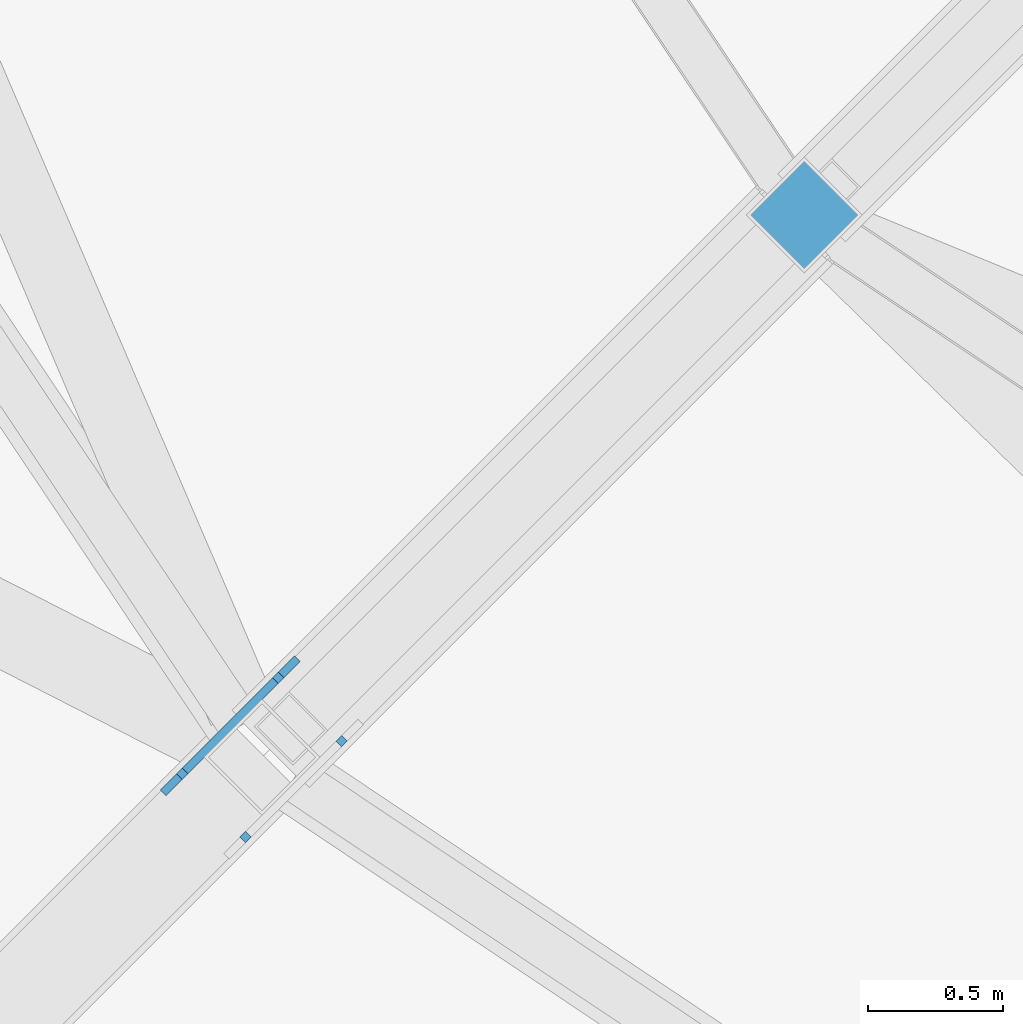
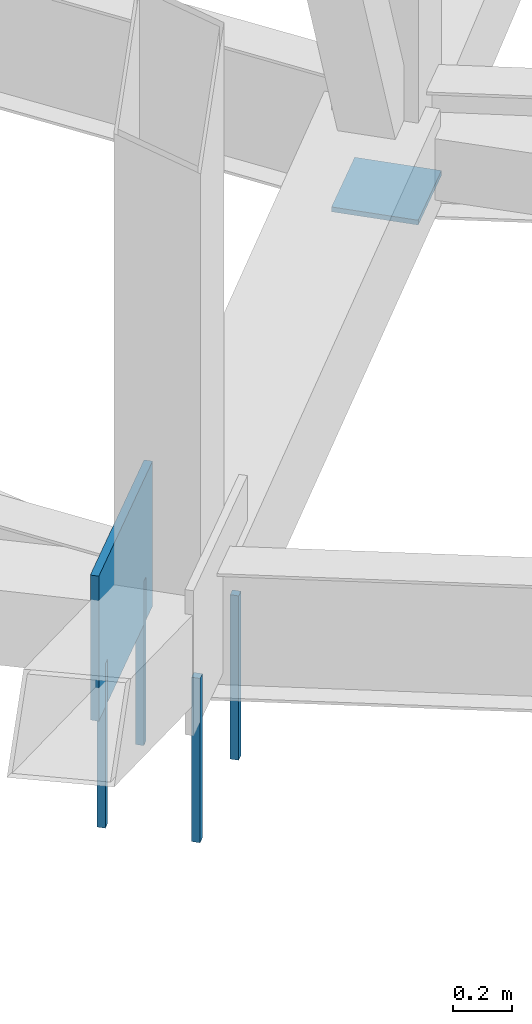
# One storey, part 115 of 278: 4 mechanical fasteners, 2 discrete accessories.
"""IFC4 building model written with IfcOpenShell, lengths in metres."""

from ifc_helpers import new_model, si_unit, direction, frame, origin, origin_2d, place, context, subcontext, project, spatial, rectangle, extrude, material, layer, layer_set, type_object, element, save


model = new_model("IFC4")

# Units and contexts
model_context = context("Model", 3, precision=1e-05, world=origin(), true_north=direction((0.0, 1.0)))
body_context = subcontext(model_context, "Body", "Model", "MODEL_VIEW")
ifc_project = project(units=[si_unit("LENGTHUNIT", "METRE"), si_unit("AREAUNIT", "SQUARE_METRE"), si_unit("VOLUMEUNIT", "CUBIC_METRE"), si_unit("PLANEANGLEUNIT", "RADIAN"), si_unit("MASSUNIT", "GRAM", prefix="KILO")], contexts=[model_context])

# Site, building, storey
site_placement = place(None, origin())
site = spatial("IfcSite", under=ifc_project, at=site_placement, CompositionType="ELEMENT")
building_placement = place(site_placement, origin())
building = spatial("IfcBuilding", under=site, at=building_placement, Name="Ogive Plaza Stadium", CompositionType="ELEMENT")
storey_placement = place(building_placement, frame((0.0, 0.0, 29.0)))
storey = spatial("IfcBuildingStorey", under=building, at=storey_placement, Name="Roof", CompositionType="ELEMENT", Elevation=29.0)

# Mechanical fasteners
ifc_material_1 = material(Name="Steel ASTM A992 Grade 50", Category="steel")
mechanical_fastener_type = type_object("IfcMechanicalFastenerType", Name="Anchor bolt M30 x 600", PredefinedType="ANCHORBOLT", material=ifc_material_1)
for number, where, z_axis, x_axis, name in (
    (1, (-62.34521484375, -81.080322265625, -0.5), (0.0, 0.0, 1.0), (-0.707106781187, -0.707106781187, 0.0), "ANCHOR BOLT 19 BP 1.1"),
    (2, (-61.988037109375, -80.723388671875, -0.5), (0.0, 0.0, 1.0), (-0.707106781187, -0.707106781187, 0.0), "ANCHOR BOLT 19 BP 1.2"),
    (3, (-62.580322265625, -80.84521484375, -0.5), (0.0, 0.0, 1.0), (-0.707106781187, -0.707106781187, 0.0), "ANCHOR BOLT 19 BP 2.1"),
    (4, (-62.223388671875, -80.488037109375, -0.5), (0.0, 0.0, 1.0), (-0.707106781187, -0.707106781187, 0.0), "ANCHOR BOLT 19 BP 2.2"),
):
    element("IfcMechanicalFastener", number, at=place(storey_placement, frame(where, z_axis=z_axis, x_axis=x_axis)), inside=storey, type_object=mechanical_fastener_type, Name=name, PredefinedType="ANCHORBOLT", context=body_context, shape_type="SweptSolid", body=[
        extrude(rectangle(XDim=0.030029296875, YDim=0.030029296875, at=origin_2d()), origin(), (0.0, 0.0, 1.0), 0.679931640625),
    ])

# Discrete accessories
ifc_material_2 = material(Name="Steel ASTM A992 Grade 50", Category="steel")
ifc_layer_1 = layer(ifc_material_2, 0.02001953125)
ifc_layer_set_1 = layer_set([ifc_layer_1], Name="Steel ASTM A992 Grade 50")
discrete_accessory_type_1 = type_object("IfcDiscreteAccessoryType", Name="Roof truss post cap plate 20", PredefinedType="ANCHORPLATE", material=ifc_layer_set_1)
discrete_accessory_1_placement = place(storey_placement, frame((-60.26904296875, -78.76904296875, 0.04541015625), z_axis=(0.0, 0.0, 1.0), x_axis=(-0.707106781187, -0.707106781187, 0.0)))
element("IfcDiscreteAccessory", 5, at=discrete_accessory_1_placement, inside=storey, type_object=discrete_accessory_type_1, Name="ROOF TRUSS POST CAP PLATE 19 10", PredefinedType="ANCHORPLATE", context=body_context, shape_type="SweptSolid", body=[
    extrude(rectangle(XDim=0.3046875, YDim=0.3046875, at=origin_2d()), origin(), (0.0, 0.0, 1.0), 0.02001953125),
])
ifc_material_3 = material(Name="Steel ASTM A992 Grade 50", Category="steel")
ifc_layer_2 = layer(ifc_material_3, 0.030029296875)
ifc_layer_set_2 = layer_set([ifc_layer_2], Name="Steel ASTM A992 Grade 50")
discrete_accessory_type_2 = type_object("IfcDiscreteAccessoryType", Name="Truss root foot cleat plate 30", PredefinedType="ANCHORPLATE", material=ifc_layer_set_2)
discrete_accessory_2_placement = place(storey_placement, frame((-62.40185546875, -80.66650390625, 0.0), z_axis=(0.0, 0.0, 1.0), x_axis=(-0.707106781187, -0.707106781187, 0.0)))
element("IfcDiscreteAccessory", 6, at=discrete_accessory_2_placement, inside=storey, type_object=discrete_accessory_type_2, Name="TRUSS ROOT FOOT CLEAT PLATE 19 2", PredefinedType="ANCHORPLATE", context=body_context, shape_type="SweptSolid", body=[
    extrude(rectangle(XDim=0.704833984375, YDim=0.030029296875, at=origin_2d()), origin(), (0.0, 0.0, 1.0), 0.60009765625),
])

save(model, "model.ifc")
